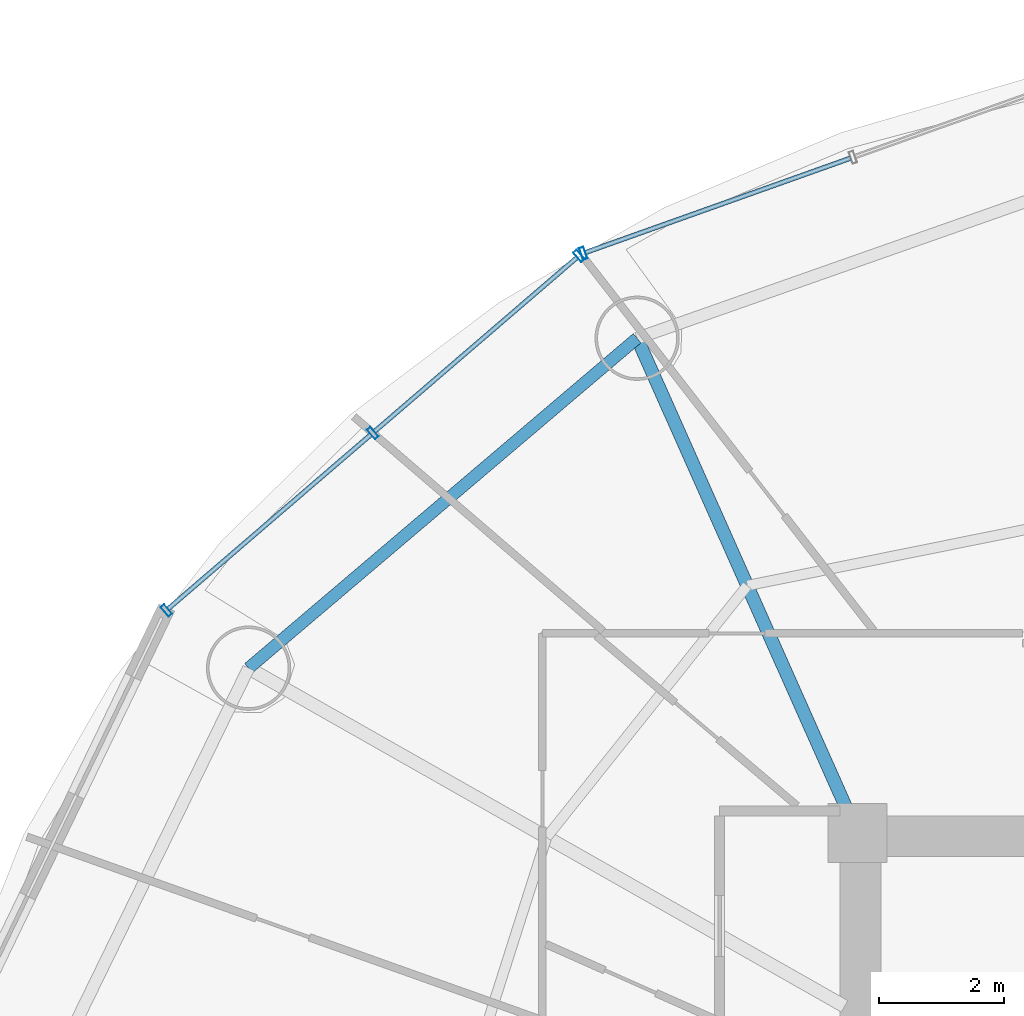
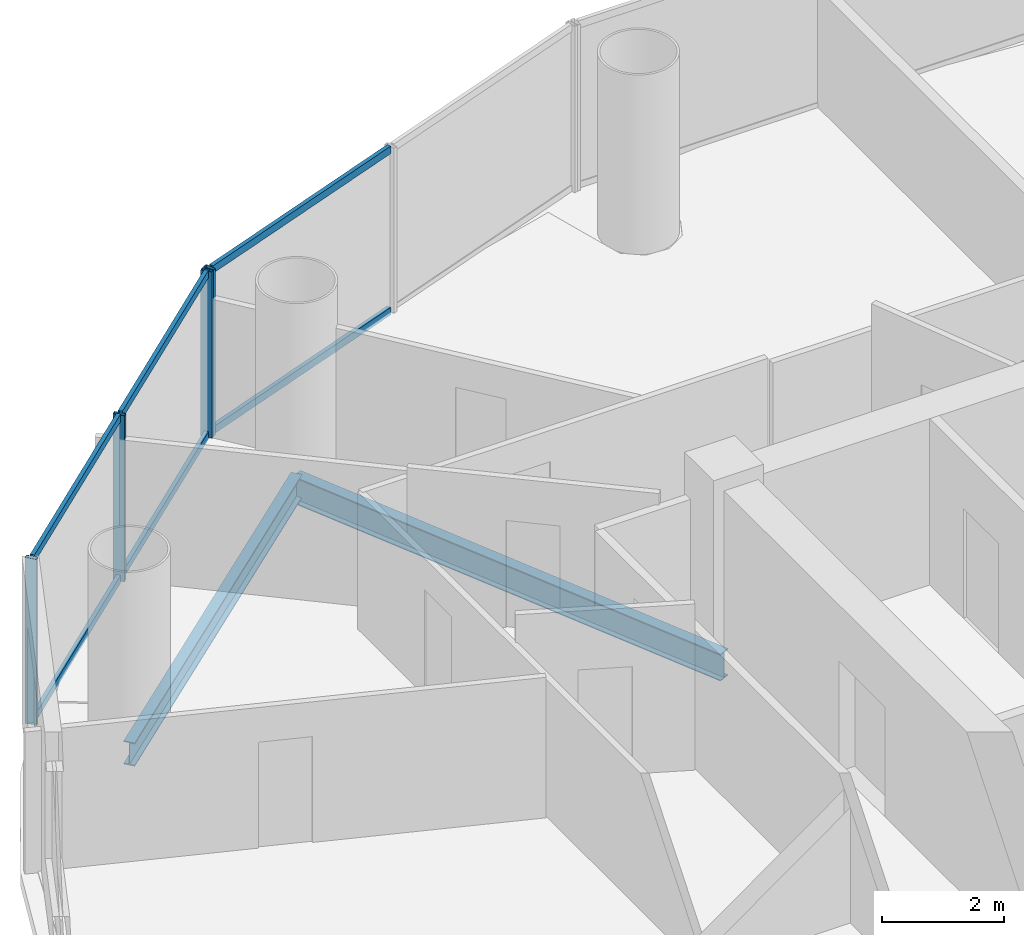
# One storey, part 14 of 27: 10 members, 2 beams, 2 elements without a shape of their own.
"""IFC4 building model written with IfcOpenShell, lengths in metres."""

from ifc_helpers import new_model, si_unit, direction, frame, origin, origin_2d, place, context, subcontext, project, spatial, hollow_rectangle, i_section, extrude, source, transform, mapped, material, material_profile, profile_set, type_object, element, aggregate, save


model = new_model("IFC4")

# Units and contexts
model_context = context("Model", 3, precision=1e-05, world=origin(), true_north=direction((-0.2419218956, 0.970295726276)))
body_context = subcontext(model_context, "Body", "Model", "MODEL_VIEW")
ifc_project = project(units=[si_unit("LENGTHUNIT", "METRE"), si_unit("AREAUNIT", "SQUARE_METRE"), si_unit("VOLUMEUNIT", "CUBIC_METRE"), si_unit("PLANEANGLEUNIT", "RADIAN"), si_unit("MASSUNIT", "GRAM", prefix="KILO")], contexts=[model_context])

# Site, building, storey
site_placement = place(None, origin())
site = spatial("IfcSite", under=ifc_project, at=site_placement, CompositionType="ELEMENT")
building_placement = place(site_placement, origin())
building = spatial("IfcBuilding", under=site, at=building_placement, Name="Cobrevalo Terracotta Tower", CompositionType="ELEMENT")
storey_placement = place(building_placement, frame((0.0, 0.0, 157.0)))
storey = spatial("IfcBuildingStorey", under=building, at=storey_placement, Name="L41", CompositionType="ELEMENT", Elevation=157.0)

# Beams
ifc_material_1 = material(Name="Steel S355", Category="steel")
ifc_material_profile_1 = material_profile(ifc_material_1, i_section(OverallWidth=0.2109375, OverallDepth=0.5390625, WebThickness=0.01171875, FlangeThickness=0.018798828125, at=origin_2d()), Name="W 530x109")
ifc_profile_set_1 = profile_set([ifc_material_profile_1], Name="Steel S355")
beam_type_1 = type_object("IfcBeamType", Name="Structural Beam W 530x109 (Steel S355)", PredefinedType="BEAM", material=ifc_profile_set_1)
beam_1_placement = place(storey_placement, frame((25.471923828125, 42.72265625, -0.53955078125), z_axis=(0.406804395691, -0.913515289224, 0.0), x_axis=(0.913515289224, 0.406804395691, 0.0)))
element("IfcBeam", 1, at=beam_1_placement, inside=storey, type_object=beam_type_1, Name="L41 radial floor girder 06", PredefinedType="BEAM", context=body_context, shape_type="SweptSolid", body=[
    extrude(i_section(OverallWidth=0.2109375, OverallDepth=0.5390625, WebThickness=0.01171875, FlangeThickness=0.018798828125, at=origin_2d()), origin(), (0.0, 0.0, 1.0), 8.672607421875),
])
ifc_material_profile_2 = material_profile(ifc_material_1, i_section(OverallWidth=0.194091796875, OverallDepth=0.468994140625, WebThickness=0.011474609375, FlangeThickness=0.0205078125, at=origin_2d()), Name="W 460x106")
ifc_profile_set_2 = profile_set([ifc_material_profile_2], Name="Steel S355")
beam_type_2 = type_object("IfcBeamType", Name="Structural Spandrel W 460x106 (Steel S355)", PredefinedType="SPANDREL", material=ifc_profile_set_2)
beam_2_placement = place(storey_placement, frame((25.471923828125, 42.72265625, -0.50439453125), z_axis=(-0.762240337798, -0.647294112003, 0.0), x_axis=(0.647294112003, -0.762240337798, 0.0)))
element("IfcBeam", 2, at=beam_2_placement, inside=storey, type_object=beam_type_2, Name="L41 perimeter ring spandrel 06", PredefinedType="SPANDREL", context=body_context, shape_type="SweptSolid", body=[
    extrude(i_section(OverallWidth=0.194091796875, OverallDepth=0.468994140625, WebThickness=0.011474609375, FlangeThickness=0.0205078125, at=origin_2d()), origin(), (0.0, 0.0, 1.0), 8.162353515625),
])

# Curtain wall, member
ifc_material_2 = material(Name="Anodized aluminium", Category="aluminium")
curtain_wall_type = type_object("IfcCurtainWallType", Name="Mid-tower high-wind unitised curtain wall CW-U2", PredefinedType="NOTDEFINED", material=ifc_material_2)
curtain_wall_1_placement = place(storey_placement, origin())
curtain_wall_1 = element("IfcCurtainWall", 3, at=curtain_wall_1_placement, inside=storey, type_object=curtain_wall_type, Name="L41 curtain wall CW-L41-S05", PredefinedType="NOTDEFINED")
ifc_material_profile_3 = material_profile(ifc_material_2, hollow_rectangle(XDim=0.074951171875, YDim=0.199951171875, WallThickness=0.0048828125, at=origin_2d()), Name="CWM 75x200")
ifc_profile_set_3 = profile_set([ifc_material_profile_3], Name="Anodized aluminium")
member_type_1 = type_object("IfcMemberType", Name="Lower/mid tower unitised mullion 75x200", PredefinedType="MULLION", material=ifc_profile_set_3)
shared_shape_1 = source(origin(), body_context, "Body", "SweptSolid", [
    extrude(hollow_rectangle(XDim=0.074951171875, YDim=0.199951171875, WallThickness=0.0048828125, at=origin_2d()), origin(), (0.0, 0.0, 1.0), 3.330078125),
])
member_1_placement = place(storey_placement, frame((24.609619140625, 44.0830078125, 0.0), z_axis=(0.0, 0.0, 1.0), x_axis=(-0.942098428897, -0.335336473217, 0.0)))
member_1 = element("IfcMember", 4, at=member_1_placement, type_object=member_type_1, Name="CW-L41-S05 vertical mullion 03", PredefinedType="MULLION", context=body_context, shape_type="MappedRepresentation", body=[
    mapped(shared_shape_1, transform((0.0, 0.0, 0.0), scale=1.0)),
])

# Curtain wall, members
curtain_wall_2_placement = place(storey_placement, origin())
curtain_wall_2 = element("IfcCurtainWall", 5, at=curtain_wall_2_placement, inside=storey, type_object=curtain_wall_type, Name="L41 curtain wall CW-L41-S06", PredefinedType="NOTDEFINED")
member_2_placement = place(storey_placement, frame((24.54150390625, 44.04345703125, 0.0), z_axis=(0.0, 0.0, 1.0), x_axis=(-0.758441546142, -0.65174106905, 0.0)))
member_2 = element("IfcMember", 6, at=member_2_placement, type_object=member_type_1, Name="CW-L41-S06 vertical mullion 01", PredefinedType="MULLION", context=body_context, shape_type="MappedRepresentation", body=[
    mapped(shared_shape_1, transform((0.0, 0.0, 0.0), scale=1.0)),
])
member_3_placement = place(storey_placement, frame((21.237548828125, 41.204345703125, 0.0), z_axis=(0.0, 0.0, 1.0), x_axis=(-0.758441546142, -0.65174106905, 0.0)))
member_3 = element("IfcMember", 7, at=member_3_placement, type_object=member_type_1, Name="CW-L41-S06 vertical mullion 02", PredefinedType="MULLION", context=body_context, shape_type="MappedRepresentation", body=[
    mapped(shared_shape_1, transform((0.0, 0.0, 0.0), scale=1.0)),
])
member_4_placement = place(storey_placement, frame((17.933837890625, 38.365234375, 0.0), z_axis=(0.0, 0.0, 1.0), x_axis=(-0.758441546142, -0.65174106905, 0.0)))
member_4 = element("IfcMember", 8, at=member_4_placement, type_object=member_type_1, Name="CW-L41-S06 vertical mullion 03", PredefinedType="MULLION", context=body_context, shape_type="MappedRepresentation", body=[
    mapped(shared_shape_1, transform((0.0, 0.0, 0.0), scale=1.0)),
])
ifc_material_profile_4 = material_profile(ifc_material_2, hollow_rectangle(XDim=0.074951171875, YDim=0.14990234375, WallThickness=0.00439453125, at=origin_2d()), Name="CWT 75x150")
ifc_profile_set_4 = profile_set([ifc_material_profile_4], Name="Anodized aluminium")
member_type_2 = type_object("IfcMemberType", Name="Tower unitised aluminium transom 75x150", PredefinedType="USERDEFINED", material=ifc_profile_set_4)
shared_shape_2 = source(origin(), body_context, "Body", "SweptSolid", [
    extrude(hollow_rectangle(XDim=0.074951171875, YDim=0.14990234375, WallThickness=0.00439453125, at=origin_2d()), origin(), (0.0, 0.0, 1.0), 4.276123046875),
])
member_5_placement = place(storey_placement, frame((24.51123046875, 44.017578125, 0.050048828125), z_axis=(-0.758417719247, -0.651768795764, 0.0), x_axis=(0.651768795764, -0.758417719247, 0.0)))
member_5 = element("IfcMember", 9, at=member_5_placement, type_object=member_type_2, Name="CW-L41-S06 transom B01-T1", ObjectType="TRANSOM", PredefinedType="USERDEFINED", context=body_context, shape_type="MappedRepresentation", body=[
    mapped(shared_shape_2, transform((0.0, 0.0, 0.0), scale=1.0)),
])
member_6_placement = place(storey_placement, frame((24.51123046875, 44.017578125, 3.280029296875), z_axis=(-0.758417719247, -0.651768795764, 0.0), x_axis=(0.651768795764, -0.758417719247, 0.0)))
member_6 = element("IfcMember", 10, at=member_6_placement, type_object=member_type_2, Name="CW-L41-S06 transom B01-T2", ObjectType="TRANSOM", PredefinedType="USERDEFINED", context=body_context, shape_type="MappedRepresentation", body=[
    mapped(shared_shape_2, transform((0.0, 0.0, 0.0), scale=1.0)),
])
member_7_placement = place(storey_placement, frame((21.207275390625, 41.17822265625, 0.050048828125), z_axis=(-0.758445941187, -0.65173595443, 0.0), x_axis=(0.65173595443, -0.758445941187, 0.0)))
member_7 = element("IfcMember", 11, at=member_7_placement, type_object=member_type_2, Name="CW-L41-S06 transom B02-T1", ObjectType="TRANSOM", PredefinedType="USERDEFINED", context=body_context, shape_type="MappedRepresentation", body=[
    mapped(shared_shape_2, transform((0.0, 0.0, 0.0), scale=1.0)),
])
member_8_placement = place(storey_placement, frame((21.207275390625, 41.17822265625, 3.280029296875), z_axis=(-0.758445941187, -0.65173595443, 0.0), x_axis=(0.65173595443, -0.758445941187, 0.0)))
member_8 = element("IfcMember", 12, at=member_8_placement, type_object=member_type_2, Name="CW-L41-S06 transom B02-T2", ObjectType="TRANSOM", PredefinedType="USERDEFINED", context=body_context, shape_type="MappedRepresentation", body=[
    mapped(shared_shape_2, transform((0.0, 0.0, 0.0), scale=1.0)),
])
aggregate(curtain_wall_2, [member_2, member_3, member_4, member_5, member_6, member_7, member_8])

# Member
shared_shape_3 = source(origin(), body_context, "Body", "SweptSolid", [
    extrude(hollow_rectangle(XDim=0.074951171875, YDim=0.14990234375, WallThickness=0.00439453125, at=origin_2d()), origin(), (0.0, 0.0, 1.0), 4.504150390625),
])
member_9_placement = place(storey_placement, frame((28.890625, 45.60693359375, 0.050048828125), z_axis=(-0.942093344241, -0.335350757771, 0.0), x_axis=(0.335350757771, -0.942093344241, 0.0)))
member_9 = element("IfcMember", 13, at=member_9_placement, type_object=member_type_2, Name="CW-L41-S05 transom B02-T1", ObjectType="TRANSOM", PredefinedType="USERDEFINED", context=body_context, shape_type="MappedRepresentation", body=[
    mapped(shared_shape_3, transform((0.0, 0.0, 0.0), scale=1.0)),
])

member_10_placement = place(storey_placement, frame((28.890625, 45.60693359375, 3.280029296875), z_axis=(-0.942093344241, -0.335350757771, 0.0), x_axis=(0.335350757771, -0.942093344241, 0.0)))
member_10 = element("IfcMember", 14, at=member_10_placement, type_object=member_type_2, Name="CW-L41-S05 transom B02-T2", ObjectType="TRANSOM", PredefinedType="USERDEFINED", context=body_context, shape_type="MappedRepresentation", body=[
    mapped(shared_shape_3, transform((0.0, 0.0, 0.0), scale=1.0)),
])

aggregate(curtain_wall_1, [member_1, member_9, member_10])

save(model, "model.ifc")
